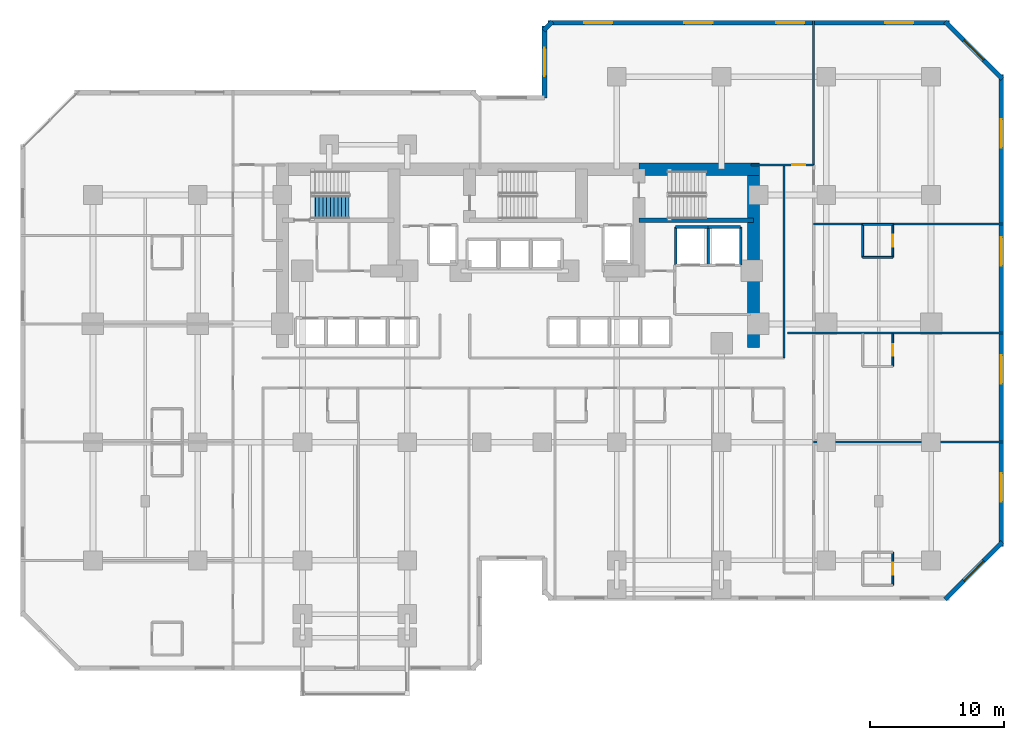
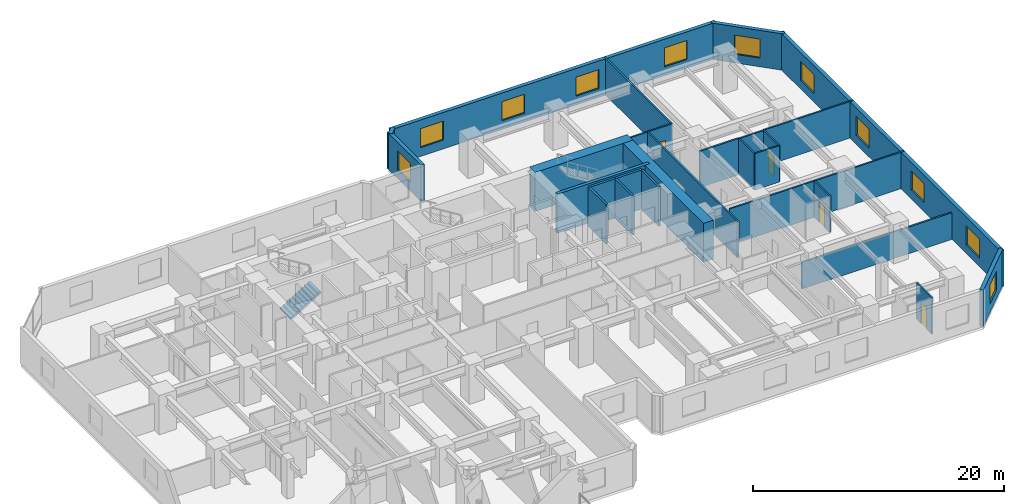
# One storey, part 9 of 12: 27 walls, 11 windows, 4 doors, 1 stair flight, 15 openings, 1 element without a shape of its own.
"""IFC4 building model written with IfcOpenShell, lengths in metres."""

from ifc_helpers import new_model, si_unit, direction, frame, frame_2d, origin, place, context, subcontext, project, spatial, polyline, rectangle, outline, extrude, material, layer, layer_set, type_object, element, fill, aggregate, save


model = new_model("IFC4")

# Units and contexts
model_context = context("Model", 3, precision=1e-05, world=origin(), true_north=direction((0.0, 1.0)))
body_context = subcontext(model_context, "Body", "Model", "MODEL_VIEW")
ifc_project = project(units=[si_unit("LENGTHUNIT", "METRE"), si_unit("AREAUNIT", "SQUARE_METRE"), si_unit("VOLUMEUNIT", "CUBIC_METRE"), si_unit("PLANEANGLEUNIT", "RADIAN"), si_unit("MASSUNIT", "GRAM", prefix="KILO")], contexts=[model_context])

# Site, building, storey
site_placement = place(None, origin())
site = spatial("IfcSite", under=ifc_project, at=site_placement, CompositionType="ELEMENT")
building_placement = place(site_placement, origin())
building = spatial("IfcBuilding", under=site, at=building_placement, Name="Kestravale Grand Hotel", CompositionType="ELEMENT")
storey_placement = place(building_placement, frame((0.0, 0.0, 52.60009765625)))
storey = spatial("IfcBuildingStorey", under=building, at=storey_placement, Name="L12", CompositionType="ELEMENT", Elevation=52.60009765625)

# Walls
ifc_material_1 = material(Name="Concrete f'c 70 MPa", Category="concrete")
ifc_layer_1 = layer(ifc_material_1, 0.89990234375)
ifc_layer_set_1 = layer_set([ifc_layer_1], Name="EW-CORE-900")
wall_type_1 = type_object("IfcWallType", Name="EW-CORE-900", PredefinedType="SHEAR", material=ifc_layer_set_1)
wall_1_placement = place(storey_placement, frame((48.449951171875, 40.320068359375, 0.0), z_axis=(0.0, 0.0, 1.0), x_axis=(1.0, 0.0, 0.0)))
element("IfcWall", 1, at=wall_1_placement, inside=storey, type_object=wall_type_1, Name="L12 core shear wall N3", PredefinedType="SHEAR", context=body_context, shape_type="SweptSolid", body=[
    extrude(rectangle(XDim=8.969970703125, YDim=0.89990234375, at=frame_2d((4.48486328125, 0.0))), origin(), (0.0, 0.0, 1.0), 3.7998046875),
])
wall_2_placement = place(storey_placement, frame((56.969970703125, 27.050048828125, 0.0), z_axis=(0.0, 0.0, 1.0), x_axis=(0.0, 1.0, 0.0)))
element("IfcWall", 2, at=wall_2_placement, inside=storey, type_object=wall_type_1, Name="L12 core shear wall E1", PredefinedType="SHEAR", context=body_context, shape_type="SweptSolid", body=[
    extrude(rectangle(XDim=13.719970703125, YDim=0.89990234375, at=frame_2d((6.85986328125, 0.0))), origin(), (0.0, 0.0, 1.0), 3.7998046875),
])

# Wall, opening, window
ifc_material_2 = material(Name="Precast concrete f'c 45 MPa", Category="concrete")
ifc_layer_2 = layer(ifc_material_2, 0.340087890625)
ifc_layer_set_2 = layer_set([ifc_layer_2], Name="EW-PREC-340")
wall_type_2 = type_object("IfcWallType", Name="EW-PREC-340", PredefinedType="SOLIDWALL", material=ifc_layer_set_2)
wall_3_placement = place(storey_placement, frame((71.25146484375, 8.2919921875, 0.0), z_axis=(0.0, 0.0, 1.0), x_axis=(0.707106781187, 0.707106781187, 0.0)))
wall_3 = element("IfcWall", 3, at=wall_3_placement, inside=storey, type_object=wall_type_2, Name="L12 fluted precast facade wall 8", PredefinedType="SOLIDWALL", context=body_context, shape_type="SweptSolid", body=[
    extrude(rectangle(XDim=6.019775390625, YDim=0.340087890625, at=frame_2d((3.009765625, 0.0))), origin(), (0.0, 0.0, 1.0), 3.539794921875),
])
opening_1_placement = place(wall_3_placement, frame((1.9599609375, 0.0, 0.85009765625)))
opening_1 = element("IfcOpeningElement", 4, at=opening_1_placement, cuts=wall_3, Name="Opening W-GUEST-2100", PredefinedType="OPENING", context=body_context, shape_type="SweptSolid", body=[
    extrude(rectangle(XDim=2.10009765625, YDim=1.85009765625, at=frame_2d((1.050048828125, 0.925048828125))), frame((0.0, 0.179931640625, 0.0), z_axis=(0.0, -1.0, 0.0), x_axis=(1.0, 0.0, 0.0)), (0.0, 0.0, 1.0), 0.360107421875),
])
ifc_material_3 = material(Name="Insulated low-E double glazing in aluminium frame", Category="aluminium")
window_type = type_object("IfcWindowType", Name="W-GUEST-2100", PartitioningType="DOUBLE_PANEL_VERTICAL", PredefinedType="WINDOW", material=ifc_material_3)
window_1_placement = place(opening_1_placement, origin())
window_1 = element("IfcWindow", 5, at=window_1_placement, inside=storey, type_object=window_type, Name="L12 exterior window 8.1", OverallHeight=1.85009765625, OverallWidth=2.10009765625, PartitioningType="SINGLE_PANEL", PredefinedType="WINDOW", context=body_context, shape_type="SweptSolid", body=[
    extrude(rectangle(XDim=2.10009765625, YDim=1.85009765625, at=frame_2d((1.050048828125, 0.925048828125))), frame((0.0, 0.030029296875, 0.0), z_axis=(0.0, -1.0, 0.0), x_axis=(1.0, 0.0, 0.0)), (0.0, 0.0, 1.0), 0.06005859375),
])
fill(opening_1, window_1)

# Wall, openings, windows
wall_4_placement = place(storey_placement, frame((75.429931640625, 12.22998046875, 0.0), z_axis=(0.0, 0.0, 1.0), x_axis=(0.0, 1.0, 0.0)))
wall_4 = element("IfcWall", 6, at=wall_4_placement, inside=storey, type_object=wall_type_2, Name="L12 fluted precast facade wall 9", PredefinedType="SOLIDWALL", context=body_context, shape_type="SweptSolid", body=[
    extrude(rectangle(XDim=35.14013671875, YDim=0.340087890625, at=frame_2d((17.570068359375, 0.0))), origin(), (0.0, 0.0, 1.0), 3.539794921875),
])
opening_2_placement = place(wall_4_placement, frame((3.342529296875, 0.0, 0.85009765625)))
opening_2 = element("IfcOpeningElement", 7, at=opening_2_placement, cuts=wall_4, Name="Opening W-GUEST-2100", PredefinedType="OPENING", context=body_context, shape_type="SweptSolid", body=[
    extrude(rectangle(XDim=2.10009765625, YDim=1.85009765625, at=frame_2d((1.050048828125, 0.925048828125))), frame((0.0, 0.179931640625, 0.0), z_axis=(0.0, -1.0, 0.0), x_axis=(1.0, 0.0, 0.0)), (0.0, 0.0, 1.0), 0.360107421875),
])
opening_3_placement = place(wall_4_placement, frame((12.12744140625, 0.0, 0.85009765625)))
opening_3 = element("IfcOpeningElement", 8, at=opening_3_placement, cuts=wall_4, Name="Opening W-GUEST-2100", PredefinedType="OPENING", context=body_context, shape_type="SweptSolid", body=[
    extrude(rectangle(XDim=2.10009765625, YDim=1.85009765625, at=frame_2d((1.050048828125, 0.925048828125))), frame((0.0, 0.179931640625, 0.0), z_axis=(0.0, -1.0, 0.0), x_axis=(1.0, 0.0, 0.0)), (0.0, 0.0, 1.0), 0.360107421875),
])
opening_4_placement = place(wall_4_placement, frame((20.91259765625, 0.0, 0.85009765625)))
opening_4 = element("IfcOpeningElement", 9, at=opening_4_placement, cuts=wall_4, Name="Opening W-GUEST-2100", PredefinedType="OPENING", context=body_context, shape_type="SweptSolid", body=[
    extrude(rectangle(XDim=2.10009765625, YDim=1.85009765625, at=frame_2d((1.050048828125, 0.925048828125))), frame((0.0, 0.179931640625, 0.0), z_axis=(0.0, -1.0, 0.0), x_axis=(1.0, 0.0, 0.0)), (0.0, 0.0, 1.0), 0.360107421875),
])
opening_5_placement = place(wall_4_placement, frame((29.697509765625, 0.0, 0.85009765625)))
opening_5 = element("IfcOpeningElement", 10, at=opening_5_placement, cuts=wall_4, Name="Opening W-GUEST-2100", PredefinedType="OPENING", context=body_context, shape_type="SweptSolid", body=[
    extrude(rectangle(XDim=2.10009765625, YDim=1.85009765625, at=frame_2d((1.050048828125, 0.925048828125))), frame((0.0, 0.179931640625, 0.0), z_axis=(0.0, -1.0, 0.0), x_axis=(1.0, 0.0, 0.0)), (0.0, 0.0, 1.0), 0.360107421875),
])
window_2_placement = place(opening_2_placement, origin())
window_2 = element("IfcWindow", 11, at=window_2_placement, inside=storey, type_object=window_type, Name="L12 exterior window 9.1", OverallHeight=1.85009765625, OverallWidth=2.10009765625, PartitioningType="SINGLE_PANEL", PredefinedType="WINDOW", context=body_context, shape_type="SweptSolid", body=[
    extrude(rectangle(XDim=2.10009765625, YDim=1.85009765625, at=frame_2d((1.050048828125, 0.925048828125))), frame((0.0, 0.030029296875, 0.0), z_axis=(0.0, -1.0, 0.0), x_axis=(1.0, 0.0, 0.0)), (0.0, 0.0, 1.0), 0.06005859375),
])
fill(opening_2, window_2)
window_3_placement = place(opening_3_placement, origin())
window_3 = element("IfcWindow", 12, at=window_3_placement, inside=storey, type_object=window_type, Name="L12 exterior window 9.2", OverallHeight=1.85009765625, OverallWidth=2.10009765625, PartitioningType="SINGLE_PANEL", PredefinedType="WINDOW", context=body_context, shape_type="SweptSolid", body=[
    extrude(rectangle(XDim=2.10009765625, YDim=1.85009765625, at=frame_2d((1.050048828125, 0.925048828125))), frame((0.0, 0.030029296875, 0.0), z_axis=(0.0, -1.0, 0.0), x_axis=(1.0, 0.0, 0.0)), (0.0, 0.0, 1.0), 0.06005859375),
])
fill(opening_3, window_3)
window_4_placement = place(opening_4_placement, origin())
window_4 = element("IfcWindow", 13, at=window_4_placement, inside=storey, type_object=window_type, Name="L12 exterior window 9.3", OverallHeight=1.85009765625, OverallWidth=2.10009765625, PartitioningType="SINGLE_PANEL", PredefinedType="WINDOW", context=body_context, shape_type="SweptSolid", body=[
    extrude(rectangle(XDim=2.10009765625, YDim=1.85009765625, at=frame_2d((1.050048828125, 0.925048828125))), frame((0.0, 0.030029296875, 0.0), z_axis=(0.0, -1.0, 0.0), x_axis=(1.0, 0.0, 0.0)), (0.0, 0.0, 1.0), 0.06005859375),
])
fill(opening_4, window_4)
window_5_placement = place(opening_5_placement, origin())
window_5 = element("IfcWindow", 14, at=window_5_placement, inside=storey, type_object=window_type, Name="L12 exterior window 9.4", OverallHeight=1.85009765625, OverallWidth=2.10009765625, PartitioningType="SINGLE_PANEL", PredefinedType="WINDOW", context=body_context, shape_type="SweptSolid", body=[
    extrude(rectangle(XDim=2.10009765625, YDim=1.85009765625, at=frame_2d((1.050048828125, 0.925048828125))), frame((0.0, 0.030029296875, 0.0), z_axis=(0.0, -1.0, 0.0), x_axis=(1.0, 0.0, 0.0)), (0.0, 0.0, 1.0), 0.06005859375),
])
fill(opening_5, window_5)

# Wall, opening, window
wall_5_placement = place(storey_placement, frame((75.508056640625, 47.051513671875, 0.0), z_axis=(0.0, 0.0, 1.0), x_axis=(-0.707106781187, 0.707106781187, 0.0)))
wall_5 = element("IfcWall", 15, at=wall_5_placement, inside=storey, type_object=wall_type_2, Name="L12 fluted precast facade wall 10", PredefinedType="SOLIDWALL", context=body_context, shape_type="SweptSolid", body=[
    extrude(rectangle(XDim=6.019775390625, YDim=0.340087890625, at=frame_2d((3.009765625, 0.0))), origin(), (0.0, 0.0, 1.0), 3.539794921875),
])
opening_6_placement = place(wall_5_placement, frame((1.9599609375, 0.0, 0.85009765625)))
opening_6 = element("IfcOpeningElement", 16, at=opening_6_placement, cuts=wall_5, Name="Opening W-GUEST-2100", PredefinedType="OPENING", context=body_context, shape_type="SweptSolid", body=[
    extrude(rectangle(XDim=2.10009765625, YDim=1.85009765625, at=frame_2d((1.050048828125, 0.925048828125))), frame((0.0, 0.179931640625, 0.0), z_axis=(0.0, -1.0, 0.0), x_axis=(1.0, 0.0, 0.0)), (0.0, 0.0, 1.0), 0.360107421875),
])
window_6_placement = place(opening_6_placement, origin())
window_6 = element("IfcWindow", 17, at=window_6_placement, inside=storey, type_object=window_type, Name="L12 exterior window 10.1", OverallHeight=1.85009765625, OverallWidth=2.10009765625, PartitioningType="SINGLE_PANEL", PredefinedType="WINDOW", context=body_context, shape_type="SweptSolid", body=[
    extrude(rectangle(XDim=2.10009765625, YDim=1.85009765625, at=frame_2d((1.050048828125, 0.925048828125))), frame((0.0, 0.030029296875, 0.0), z_axis=(0.0, -1.0, 0.0), x_axis=(1.0, 0.0, 0.0)), (0.0, 0.0, 1.0), 0.06005859375),
])
fill(opening_6, window_6)

# Wall, openings, windows
wall_6_placement = place(storey_placement, frame((71.570068359375, 51.22998046875, 0.0), z_axis=(0.0, 0.0, 1.0), x_axis=(-1.0, 0.0, 0.0)))
wall_6 = element("IfcWall", 18, at=wall_6_placement, inside=storey, type_object=wall_type_2, Name="L12 fluted precast facade wall 11", PredefinedType="SOLIDWALL", context=body_context, shape_type="SweptSolid", body=[
    extrude(rectangle(XDim=29.89013671875, YDim=0.340087890625, at=frame_2d((14.945068359375, 0.0))), origin(), (0.0, 0.0, 1.0), 3.539794921875),
])
opening_7_placement = place(wall_6_placement, frame((2.686279296875, 0.0, 0.85009765625)))
opening_7 = element("IfcOpeningElement", 19, at=opening_7_placement, cuts=wall_6, Name="Opening W-GUEST-2100", PredefinedType="OPENING", context=body_context, shape_type="SweptSolid", body=[
    extrude(rectangle(XDim=2.10009765625, YDim=1.85009765625, at=frame_2d((1.050048828125, 0.925048828125))), frame((0.0, 0.179931640625, 0.0), z_axis=(0.0, -1.0, 0.0), x_axis=(1.0, 0.0, 0.0)), (0.0, 0.0, 1.0), 0.360107421875),
])
opening_8_placement = place(wall_6_placement, frame((10.80859375, 0.0, 0.85009765625)))
opening_8 = element("IfcOpeningElement", 20, at=opening_8_placement, cuts=wall_6, Name="Opening W-GUEST-2100", PredefinedType="OPENING", context=body_context, shape_type="SweptSolid", body=[
    extrude(rectangle(XDim=2.10009765625, YDim=1.85009765625, at=frame_2d((1.050048828125, 0.925048828125))), frame((0.0, 0.179931640625, 0.0), z_axis=(0.0, -1.0, 0.0), x_axis=(1.0, 0.0, 0.0)), (0.0, 0.0, 1.0), 0.360107421875),
])
opening_9_placement = place(wall_6_placement, frame((17.631103515625, 0.0, 0.85009765625)))
opening_9 = element("IfcOpeningElement", 21, at=opening_9_placement, cuts=wall_6, Name="Opening W-GUEST-2100", PredefinedType="OPENING", context=body_context, shape_type="SweptSolid", body=[
    extrude(rectangle(XDim=2.10009765625, YDim=1.85009765625, at=frame_2d((1.050048828125, 0.925048828125))), frame((0.0, 0.179931640625, 0.0), z_axis=(0.0, -1.0, 0.0), x_axis=(1.0, 0.0, 0.0)), (0.0, 0.0, 1.0), 0.360107421875),
])
opening_10_placement = place(wall_6_placement, frame((25.103759765625, 0.0, 0.85009765625)))
opening_10 = element("IfcOpeningElement", 22, at=opening_10_placement, cuts=wall_6, Name="Opening W-GUEST-2100", PredefinedType="OPENING", context=body_context, shape_type="SweptSolid", body=[
    extrude(rectangle(XDim=2.10009765625, YDim=1.85009765625, at=frame_2d((1.050048828125, 0.925048828125))), frame((0.0, 0.179931640625, 0.0), z_axis=(0.0, -1.0, 0.0), x_axis=(1.0, 0.0, 0.0)), (0.0, 0.0, 1.0), 0.360107421875),
])
window_7_placement = place(opening_7_placement, origin())
window_7 = element("IfcWindow", 23, at=window_7_placement, inside=storey, type_object=window_type, Name="L12 exterior window 11.1", OverallHeight=1.85009765625, OverallWidth=2.10009765625, PartitioningType="SINGLE_PANEL", PredefinedType="WINDOW", context=body_context, shape_type="SweptSolid", body=[
    extrude(rectangle(XDim=2.10009765625, YDim=1.85009765625, at=frame_2d((1.050048828125, 0.925048828125))), frame((0.0, 0.030029296875, 0.0), z_axis=(0.0, -1.0, 0.0), x_axis=(1.0, 0.0, 0.0)), (0.0, 0.0, 1.0), 0.06005859375),
])
fill(opening_7, window_7)
window_8_placement = place(opening_8_placement, origin())
window_8 = element("IfcWindow", 24, at=window_8_placement, inside=storey, type_object=window_type, Name="L12 exterior window 11.2", OverallHeight=1.85009765625, OverallWidth=2.10009765625, PartitioningType="SINGLE_PANEL", PredefinedType="WINDOW", context=body_context, shape_type="SweptSolid", body=[
    extrude(rectangle(XDim=2.10009765625, YDim=1.85009765625, at=frame_2d((1.050048828125, 0.925048828125))), frame((0.0, 0.030029296875, 0.0), z_axis=(0.0, -1.0, 0.0), x_axis=(1.0, 0.0, 0.0)), (0.0, 0.0, 1.0), 0.06005859375),
])
fill(opening_8, window_8)
window_9_placement = place(opening_9_placement, origin())
window_9 = element("IfcWindow", 25, at=window_9_placement, inside=storey, type_object=window_type, Name="L12 exterior window 11.3", OverallHeight=1.85009765625, OverallWidth=2.10009765625, PartitioningType="SINGLE_PANEL", PredefinedType="WINDOW", context=body_context, shape_type="SweptSolid", body=[
    extrude(rectangle(XDim=2.10009765625, YDim=1.85009765625, at=frame_2d((1.050048828125, 0.925048828125))), frame((0.0, 0.030029296875, 0.0), z_axis=(0.0, -1.0, 0.0), x_axis=(1.0, 0.0, 0.0)), (0.0, 0.0, 1.0), 0.06005859375),
])
fill(opening_9, window_9)
window_10_placement = place(opening_10_placement, origin())
window_10 = element("IfcWindow", 26, at=window_10_placement, inside=storey, type_object=window_type, Name="L12 exterior window 11.4", OverallHeight=1.85009765625, OverallWidth=2.10009765625, PartitioningType="SINGLE_PANEL", PredefinedType="WINDOW", context=body_context, shape_type="SweptSolid", body=[
    extrude(rectangle(XDim=2.10009765625, YDim=1.85009765625, at=frame_2d((1.050048828125, 0.925048828125))), frame((0.0, 0.030029296875, 0.0), z_axis=(0.0, -1.0, 0.0), x_axis=(1.0, 0.0, 0.0)), (0.0, 0.0, 1.0), 0.06005859375),
])
fill(opening_10, window_10)

# Wall
wall_7_placement = place(storey_placement, frame((41.99853515625, 51.30810546875, 0.0), z_axis=(0.0, 0.0, 1.0), x_axis=(-0.707238225886, -0.706975312048, 0.0)))
element("IfcWall", 27, at=wall_7_placement, inside=storey, type_object=wall_type_2, Name="L12 fluted precast facade wall 12", PredefinedType="SOLIDWALL", context=body_context, shape_type="SweptSolid", body=[
    extrude(rectangle(XDim=0.9287109375, YDim=0.340087890625, at=frame_2d((0.46435546875, 0.0))), origin(), (0.0, 0.0, 1.0), 3.539794921875),
])

# Wall, opening, window
wall_8_placement = place(storey_placement, frame((41.419921875, 50.969970703125, 0.0), z_axis=(0.0, 0.0, 1.0), x_axis=(0.0, -1.0, 0.0)))
wall_8 = element("IfcWall", 28, at=wall_8_placement, inside=storey, type_object=wall_type_2, Name="L12 fluted precast facade wall 13", PredefinedType="SOLIDWALL", context=body_context, shape_type="SweptSolid", body=[
    extrude(rectangle(XDim=5.340087890625, YDim=0.340087890625, at=frame_2d((2.669921875, 0.0))), origin(), (0.0, 0.0, 1.0), 3.539794921875),
])
opening_11_placement = place(wall_8_placement, frame((1.6201171875, 0.0, 0.85009765625)))
opening_11 = element("IfcOpeningElement", 29, at=opening_11_placement, cuts=wall_8, Name="Opening W-GUEST-2100", PredefinedType="OPENING", context=body_context, shape_type="SweptSolid", body=[
    extrude(rectangle(XDim=2.10009765625, YDim=1.85009765625, at=frame_2d((1.050048828125, 0.925048828125))), frame((0.0, 0.179931640625, 0.0), z_axis=(0.0, -1.0, 0.0), x_axis=(1.0, 0.0, 0.0)), (0.0, 0.0, 1.0), 0.360107421875),
])
window_11_placement = place(opening_11_placement, origin())
window_11 = element("IfcWindow", 30, at=window_11_placement, inside=storey, type_object=window_type, Name="L12 exterior window 13.1", OverallHeight=1.85009765625, OverallWidth=2.10009765625, PartitioningType="SINGLE_PANEL", PredefinedType="WINDOW", context=body_context, shape_type="SweptSolid", body=[
    extrude(rectangle(XDim=2.10009765625, YDim=1.85009765625, at=frame_2d((1.050048828125, 0.925048828125))), frame((0.0, 0.030029296875, 0.0), z_axis=(0.0, -1.0, 0.0), x_axis=(1.0, 0.0, 0.0)), (0.0, 0.0, 1.0), 0.06005859375),
])
fill(opening_11, window_11)

# Walls
ifc_material_4 = material(Name="Concrete f'c 45 MPa", Category="concrete")
ifc_layer_3 = layer(ifc_material_4, 0.300048828125)
ifc_layer_set_3 = layer_set([ifc_layer_3], Name="EW-STAIR-300")
wall_type_3 = type_object("IfcWallType", Name="EW-STAIR-300", PredefinedType="SHEAR", material=ifc_layer_set_3)
wall_9_placement = place(storey_placement, frame((48.449951171875, 36.52001953125, 0.0), z_axis=(0.0, 0.0, 1.0), x_axis=(1.0, 0.0, 0.0)))
element("IfcWall", 31, at=wall_9_placement, inside=storey, type_object=wall_type_3, Name="L12 stair enclosure shear wall SST3", PredefinedType="SHEAR", context=body_context, shape_type="SweptSolid", body=[
    extrude(rectangle(XDim=8.52001953125, YDim=0.300048828125, at=frame_2d((4.260009765625, 0.0))), origin(), (0.0, 0.0, 1.0), 3.7998046875),
])
ifc_material_5 = material(Name="Acoustic fire-rated gypsum board partition", Category="other")
ifc_layer_4 = layer(ifc_material_5, 0.159912109375)
ifc_layer_set_4 = layer_set([ifc_layer_4], Name="IW-CORR-160")
wall_type_4 = type_object("IfcWallType", Name="IW-CORR-160", PredefinedType="PARTITIONING", material=ifc_layer_set_4)
wall_10_placement = place(storey_placement, frame((59.239990234375, 26.260009765625, 0.0), z_axis=(0.0, 0.0, 1.0), x_axis=(0.0, 1.0, 0.0)))
element("IfcWall", 32, at=wall_10_placement, inside=storey, type_object=wall_type_4, Name="W-L12-SE-WU", PredefinedType="PARTITIONING", context=body_context, shape_type="SweptSolid", body=[
    extrude(rectangle(XDim=14.389892578125, YDim=0.159912109375, at=frame_2d((7.19482421875, 0.0))), origin(), (0.0, 0.0, 1.0), 3.539794921875),
])

# Wall, opening, door
ifc_material_6 = material(Name="Moisture-resistant tile-backer plumbing chase wall", Category="other")
ifc_layer_5 = layer(ifc_material_6, 0.139892578125)
ifc_layer_set_5 = layer_set([ifc_layer_5], Name="IW-PLB-140")
wall_type_5 = type_object("IfcWallType", Name="IW-PLB-140", PredefinedType="PLUMBINGWALL", material=ifc_layer_set_5)
wall_11_placement = place(storey_placement, frame((67.35009765625, 9.35009765625, 0.0), z_axis=(0.0, 0.0, 1.0), x_axis=(0.0, 1.0, 0.0)))
wall_11 = element("IfcWall", 33, at=wall_11_placement, inside=storey, type_object=wall_type_5, Name="W-L12-U09-BE", PredefinedType="PLUMBINGWALL", context=body_context, shape_type="SweptSolid", body=[
    extrude(rectangle(XDim=2.449951171875, YDim=0.139892578125, at=frame_2d((1.22509765625, 0.0))), origin(), (0.0, 0.0, 1.0), 3.539794921875),
])
opening_12_placement = place(wall_11_placement, frame((0.784912109375, 0.0, 0.0)))
opening_12 = element("IfcOpeningElement", 34, at=opening_12_placement, cuts=wall_11, Name="Opening D-BATH-880", PredefinedType="OPENING", context=body_context, shape_type="SweptSolid", body=[
    extrude(rectangle(XDim=0.8798828125, YDim=2.050048828125, at=frame_2d((0.43994140625, 1.02490234375))), frame((0.0, 0.079833984375, 0.0), z_axis=(0.0, -1.0, 0.0), x_axis=(1.0, 0.0, 0.0)), (0.0, 0.0, 1.0), 0.159912109375),
])
ifc_material_7 = material(Name="Moisture-sealed walnut en-suite bathroom door", Category="wood")
door_type_1 = type_object("IfcDoorType", Name="D-BATH-880", OperationType="NOTDEFINED", PredefinedType="DOOR", material=ifc_material_7)
door_1_placement = place(opening_12_placement, origin())
door_1 = element("IfcDoor", 35, at=door_1_placement, inside=storey, type_object=door_type_1, Name="D-L12-U09-BATH", OperationType="SINGLE_SWING_RIGHT", OverallHeight=2.050048828125, OverallWidth=0.8798828125, PredefinedType="DOOR", context=body_context, shape_type="SweptSolid", body=[
    extrude(rectangle(XDim=0.8798828125, YDim=2.050048828125, at=frame_2d((0.43994140625, 1.02490234375))), frame((0.0, 0.02490234375, 0.0), z_axis=(0.0, -1.0, 0.0), x_axis=(1.0, 0.0, 0.0)), (0.0, 0.0, 1.0), 0.050048828125),
])
fill(opening_12, door_1)

wall_12_placement = place(storey_placement, frame((67.35009765625, 25.635009765625, 0.0), z_axis=(0.0, 0.0, 1.0), x_axis=(0.0, 1.0, 0.0)))
wall_12 = element("IfcWall", 36, at=wall_12_placement, inside=storey, type_object=wall_type_5, Name="W-L12-U10-BE", PredefinedType="PLUMBINGWALL", context=body_context, shape_type="SweptSolid", body=[
    extrude(rectangle(XDim=2.449951171875, YDim=0.139892578125, at=frame_2d((1.22509765625, 0.0))), origin(), (0.0, 0.0, 1.0), 3.539794921875),
])
opening_13_placement = place(wall_12_placement, frame((0.784912109375, 0.0, 0.0)))
opening_13 = element("IfcOpeningElement", 37, at=opening_13_placement, cuts=wall_12, Name="Opening D-BATH-880", PredefinedType="OPENING", context=body_context, shape_type="SweptSolid", body=[
    extrude(rectangle(XDim=0.8798828125, YDim=2.050048828125, at=frame_2d((0.43994140625, 1.02490234375))), frame((0.0, 0.079833984375, 0.0), z_axis=(0.0, -1.0, 0.0), x_axis=(1.0, 0.0, 0.0)), (0.0, 0.0, 1.0), 0.159912109375),
])
door_2_placement = place(opening_13_placement, origin())
door_2 = element("IfcDoor", 38, at=door_2_placement, inside=storey, type_object=door_type_1, Name="D-L12-U10-BATH", OperationType="SINGLE_SWING_RIGHT", OverallHeight=2.050048828125, OverallWidth=0.8798828125, PredefinedType="DOOR", context=body_context, shape_type="SweptSolid", body=[
    extrude(rectangle(XDim=0.8798828125, YDim=2.050048828125, at=frame_2d((0.43994140625, 1.02490234375))), frame((0.0, 0.02490234375, 0.0), z_axis=(0.0, -1.0, 0.0), x_axis=(1.0, 0.0, 0.0)), (0.0, 0.0, 1.0), 0.050048828125),
])
fill(opening_13, door_2)

# Wall
wall_13_placement = place(storey_placement, frame((65.10009765625, 33.760009765625, 0.0), z_axis=(0.0, 0.0, 1.0), x_axis=(0.0, 1.0, 0.0)))
element("IfcWall", 39, at=wall_13_placement, inside=storey, type_object=wall_type_5, Name="W-L12-U11-BW", PredefinedType="PLUMBINGWALL", context=body_context, shape_type="SweptSolid", body=[
    extrude(rectangle(XDim=2.449951171875, YDim=0.139892578125, at=frame_2d((1.22509765625, 0.0))), origin(), (0.0, 0.0, 1.0), 3.539794921875),
])

# Wall, opening, door
wall_14_placement = place(storey_placement, frame((67.35009765625, 33.760009765625, 0.0), z_axis=(0.0, 0.0, 1.0), x_axis=(0.0, 1.0, 0.0)))
wall_14 = element("IfcWall", 40, at=wall_14_placement, inside=storey, type_object=wall_type_5, Name="W-L12-U11-BE", PredefinedType="PLUMBINGWALL", context=body_context, shape_type="SweptSolid", body=[
    extrude(rectangle(XDim=2.449951171875, YDim=0.139892578125, at=frame_2d((1.22509765625, 0.0))), origin(), (0.0, 0.0, 1.0), 3.539794921875),
])
opening_14_placement = place(wall_14_placement, frame((0.784912109375, 0.0, 0.0)))
opening_14 = element("IfcOpeningElement", 41, at=opening_14_placement, cuts=wall_14, Name="Opening D-BATH-880", PredefinedType="OPENING", context=body_context, shape_type="SweptSolid", body=[
    extrude(rectangle(XDim=0.8798828125, YDim=2.050048828125, at=frame_2d((0.43994140625, 1.02490234375))), frame((0.0, 0.079833984375, 0.0), z_axis=(0.0, -1.0, 0.0), x_axis=(1.0, 0.0, 0.0)), (0.0, 0.0, 1.0), 0.159912109375),
])
door_3_placement = place(opening_14_placement, origin())
door_3 = element("IfcDoor", 42, at=door_3_placement, inside=storey, type_object=door_type_1, Name="D-L12-U11-BATH", OperationType="SINGLE_SWING_RIGHT", OverallHeight=2.050048828125, OverallWidth=0.8798828125, PredefinedType="DOOR", context=body_context, shape_type="SweptSolid", body=[
    extrude(rectangle(XDim=0.8798828125, YDim=2.050048828125, at=frame_2d((0.43994140625, 1.02490234375))), frame((0.0, 0.02490234375, 0.0), z_axis=(0.0, -1.0, 0.0), x_axis=(1.0, 0.0, 0.0)), (0.0, 0.0, 1.0), 0.050048828125),
])
fill(opening_14, door_3)

# Walls
for number, where, z_axis, x_axis, name in (
    (43, (65.10009765625, 33.760009765625, 0.0), (0.0, 0.0, 1.0), (1.0, 0.0, 0.0), "W-L12-U11-BS"),
    (44, (65.10009765625, 36.2099609375, 0.0), (0.0, 0.0, 1.0), (1.0, 0.0, 0.0), "W-L12-U11-BN"),
):
    element("IfcWall", number, at=place(storey_placement, frame(where, z_axis=z_axis, x_axis=x_axis)), inside=storey, type_object=wall_type_5, Name=name, PredefinedType="PLUMBINGWALL", context=body_context, shape_type="SweptSolid", body=[
        extrude(rectangle(XDim=2.25, YDim=0.139892578125, at=frame_2d((1.125, 0.0))), origin(), (0.0, 0.0, 1.0), 3.539794921875),
    ])
ifc_material_8 = material(Name="Concrete f'c 45 MPa", Category="concrete")
ifc_layer_6 = layer(ifc_material_8, 0.199951171875)
ifc_layer_set_6 = layer_set([ifc_layer_6], Name="IW-SHAFT-200")
wall_type_6 = type_object("IfcWallType", Name="IW-SHAFT-200", PredefinedType="SHEAR", material=ifc_layer_set_6)
for number, where, z_axis, x_axis, name in (
    (45, (51.179931640625, 33.169921875, 0.0), (0.0, 0.0, 1.0), (0.0, 1.0, 0.0), "L12 SL-1 west shaft wall"),
    (46, (53.60009765625, 33.169921875, 0.0), (0.0, 0.0, 1.0), (0.0, 1.0, 0.0), "L12 SL-2 west shaft wall"),
    (47, (56.02001953125, 33.169921875, 0.0), (0.0, 0.0, 1.0), (0.0, 1.0, 0.0), "L12 SL-2 east shaft wall"),
):
    element("IfcWall", number, at=place(storey_placement, frame(where, z_axis=z_axis, x_axis=x_axis)), inside=storey, type_object=wall_type_6, Name=name, PredefinedType="SHEAR", context=body_context, shape_type="SweptSolid", body=[
        extrude(rectangle(XDim=2.860107421875, YDim=0.199951171875, at=frame_2d((1.43017578125, 0.0))), origin(), (0.0, 0.0, 1.0), 3.7998046875),
    ])
ifc_material_9 = material(Name="Concrete f'c 45 MPa", Category="concrete")
ifc_layer_7 = layer(ifc_material_9, 0.219970703125)
ifc_layer_set_7 = layer_set([ifc_layer_7], Name="IW-SHAFT-220")
wall_type_7 = type_object("IfcWallType", Name="IW-SHAFT-220", PredefinedType="SHEAR", material=ifc_layer_set_7)
wall_15_placement = place(storey_placement, frame((51.179931640625, 36.030029296875, 0.0), z_axis=(0.0, 0.0, 1.0), x_axis=(1.0, 0.0, 0.0)))
element("IfcWall", 48, at=wall_15_placement, inside=storey, type_object=wall_type_7, Name="L12 SL-1 north shaft wall", PredefinedType="SHEAR", context=body_context, shape_type="SweptSolid", body=[
    extrude(rectangle(XDim=2.420166015625, YDim=0.219970703125, at=frame_2d((1.2099609375, 0.0))), origin(), (0.0, 0.0, 1.0), 3.7998046875),
])
wall_16_placement = place(storey_placement, frame((53.60009765625, 36.030029296875, 0.0), z_axis=(0.0, 0.0, 1.0), x_axis=(1.0, 0.0, 0.0)))
element("IfcWall", 49, at=wall_16_placement, inside=storey, type_object=wall_type_7, Name="L12 SL-2 north shaft wall", PredefinedType="SHEAR", context=body_context, shape_type="SweptSolid", body=[
    extrude(rectangle(XDim=2.419921875, YDim=0.219970703125, at=frame_2d((1.2099609375, 0.0))), origin(), (0.0, 0.0, 1.0), 3.7998046875),
])

# Wall, opening, door
ifc_material_10 = material(Name="Double-stud STC 52 acoustic demising partition", Category="other")
ifc_layer_8 = layer(ifc_material_10, 0.14990234375)
ifc_layer_set_8 = layer_set([ifc_layer_8], Name="IW-UNIT-150")
wall_type_8 = type_object("IfcWallType", Name="IW-UNIT-150", PredefinedType="PARTITIONING", material=ifc_layer_set_8)
wall_17_placement = place(storey_placement, frame((56.800048828125, 40.64990234375, 0.0), z_axis=(0.0, 0.0, 1.0), x_axis=(1.0, 0.0, 0.0)))
wall_17 = element("IfcWall", 50, at=wall_17_placement, inside=storey, type_object=wall_type_8, Name="W-L12-SE-N", PredefinedType="PARTITIONING", context=body_context, shape_type="SweptSolid", body=[
    extrude(rectangle(XDim=4.659912109375, YDim=0.14990234375, at=frame_2d((2.330078125, 0.0))), origin(), (0.0, 0.0, 1.0), 3.539794921875),
])
opening_15_placement = place(wall_17_placement, frame((3.050048828125, 0.0, 0.0)))
opening_15 = element("IfcOpeningElement", 51, at=opening_15_placement, cuts=wall_17, Name="Opening D-GUEST-1000", PredefinedType="OPENING", context=body_context, shape_type="SweptSolid", body=[
    extrude(rectangle(XDim=1.0, YDim=2.14990234375, at=frame_2d((0.5, 1.074951171875))), frame((0.0, 0.0849609375, 0.0), z_axis=(0.0, -1.0, 0.0), x_axis=(1.0, 0.0, 0.0)), (0.0, 0.0, 1.0), 0.169921875),
])
ifc_material_11 = material(Name="Accessible walnut veneer hotel entrance fire door", Category="wood")
door_type_2 = type_object("IfcDoorType", Name="D-GUEST-1000", OperationType="NOTDEFINED", PredefinedType="DOOR", material=ifc_material_11)
door_4_placement = place(opening_15_placement, origin())
door_4 = element("IfcDoor", 52, at=door_4_placement, inside=storey, type_object=door_type_2, Name="L12 NE Gallery Door", OperationType="SINGLE_SWING_LEFT", OverallHeight=2.14990234375, OverallWidth=1.0, PredefinedType="DOOR", context=body_context, shape_type="SweptSolid", body=[
    extrude(rectangle(XDim=1.0, YDim=2.14990234375, at=frame_2d((0.5, 1.074951171875))), frame((0.0, 0.02490234375, 0.0), z_axis=(0.0, -1.0, 0.0), x_axis=(1.0, 0.0, 0.0)), (0.0, 0.0, 1.0), 0.050048828125),
])
fill(opening_15, door_4)

# Walls
wall_18_placement = place(storey_placement, frame((61.4599609375, 40.64990234375, 0.0), z_axis=(0.0, 0.0, 1.0), x_axis=(0.0, 1.0, 0.0)))
element("IfcWall", 53, at=wall_18_placement, inside=storey, type_object=wall_type_8, Name="W-L12-NGE-E", PredefinedType="PARTITIONING", context=body_context, shape_type="SweptSolid", body=[
    extrude(rectangle(XDim=10.72998046875, YDim=0.14990234375, at=frame_2d((5.364990234375, 0.0))), origin(), (0.0, 0.0, 1.0), 3.539794921875),
])
wall_19_placement = place(storey_placement, frame((61.4599609375, 20.0, 0.0), z_axis=(0.0, 0.0, 1.0), x_axis=(1.0, 0.0, 0.0)))
element("IfcWall", 54, at=wall_19_placement, inside=storey, type_object=wall_type_8, Name="W-L12-EW-1", PredefinedType="PARTITIONING", context=body_context, shape_type="SweptSolid", body=[
    extrude(rectangle(XDim=14.1201171875, YDim=0.14990234375, at=frame_2d((7.06005859375, 0.0))), origin(), (0.0, 0.0, 1.0), 2.593017578125),
])
wall_20_placement = place(storey_placement, frame((59.510009765625, 28.125, 0.0), z_axis=(0.0, 0.0, 1.0), x_axis=(1.0, 0.0, 0.0)))
element("IfcWall", 55, at=wall_20_placement, inside=storey, type_object=wall_type_8, Name="W-L12-ASPL-10", PredefinedType="PARTITIONING", context=body_context, shape_type="SweptSolid", body=[
    extrude(rectangle(XDim=16.070068359375, YDim=0.14990234375, at=frame_2d((8.03515625, 0.0))), origin(), (0.0, 0.0, 1.0), 3.539794921875),
])
wall_21_placement = place(storey_placement, frame((61.4599609375, 36.25, 0.0), z_axis=(0.0, 0.0, 1.0), x_axis=(1.0, 0.0, 0.0)))
element("IfcWall", 56, at=wall_21_placement, inside=storey, type_object=wall_type_8, Name="W-L12-EW-2", PredefinedType="PARTITIONING", context=body_context, shape_type="SweptSolid", body=[
    extrude(rectangle(XDim=3.64013671875, YDim=0.14990234375, at=frame_2d((1.820068359375, 0.0))), origin(), (0.0, 0.0, 1.0), 3.539794921875),
])
wall_22_placement = place(storey_placement, frame((67.35009765625, 36.25, 0.0), z_axis=(0.0, 0.0, 1.0), x_axis=(1.0, 0.0, 0.0)))
element("IfcWall", 57, at=wall_22_placement, inside=storey, type_object=wall_type_8, Name="W-L12-EW-2", PredefinedType="PARTITIONING", context=body_context, shape_type="SweptSolid", body=[
    extrude(rectangle(XDim=8.22998046875, YDim=0.14990234375, at=frame_2d((4.114990234375, 0.0))), origin(), (0.0, 0.0, 1.0), 3.539794921875),
])

# Stair, stair flight
ifc_material_12 = material(Name="Concrete f'c 45 MPa", Category="concrete")
stair_type = type_object("IfcStairType", Name="ST-CORE-380", PredefinedType="HALF_TURN_STAIR", material=ifc_material_12)
stair_placement = place(storey_placement, origin())
stair = element("IfcStair", 58, at=stair_placement, inside=storey, type_object=stair_type, Name="L12 ST-1", PredefinedType="HALF_TURN_STAIR")
ifc_material_13 = material(Name="Concrete f'c 45 MPa", Category="concrete")
stair_flight_type = type_object("IfcStairFlightType", Name="STF-CORE-380", PredefinedType="STRAIGHT", material=ifc_material_13)
stair_flight_placement = place(storey_placement, frame((24.080078125, 37.489990234375, 0.0), z_axis=(0.0, 0.0, 1.0), x_axis=(1.0, 0.0, 0.0)))
stair_flight = element("IfcStairFlight", 59, at=stair_flight_placement, type_object=stair_flight_type, Name="ST-1 flight 1", NumberOfRisers=11, NumberOfTreads=10, PredefinedType="STRAIGHT", RiserHeight=0.172727273, TreadLength=0.28, context=body_context, shape_type="SweptSolid", body=[
    extrude(outline(polyline([(0.0, 0.0), (0.0, 0.172607421875), (0.280029296875, 0.172607421875), (0.280029296875, 0.345458984375), (0.56005859375, 0.345458984375), (0.56005859375, 0.51806640625), (0.840087890625, 0.51806640625), (0.840087890625, 0.69091796875), (1.1201171875, 0.69091796875), (1.1201171875, 0.863525390625), (1.39990234375, 0.863525390625), (1.39990234375, 1.036376953125), (1.679931640625, 1.036376953125), (1.679931640625, 1.208984375), (1.9599609375, 1.208984375), (1.9599609375, 1.3818359375), (2.239990234375, 1.3818359375), (2.239990234375, 1.554443359375), (2.52001953125, 1.554443359375), (2.52001953125, 1.727294921875), (2.800048828125, 1.727294921875), (2.800048828125, 1.89990234375), (2.800048828125, 1.551025390625), (0.285400390625, 0.0), (0.0, 0.0)])), frame((0.0, 0.83984375, 0.0), z_axis=(0.0, -1.0, 0.0), x_axis=(1.0, 0.0, 0.0)), (0.0, 0.0, 1.0), 1.679931640625),
])
aggregate(stair, [stair_flight])

save(model, "model.ifc")
